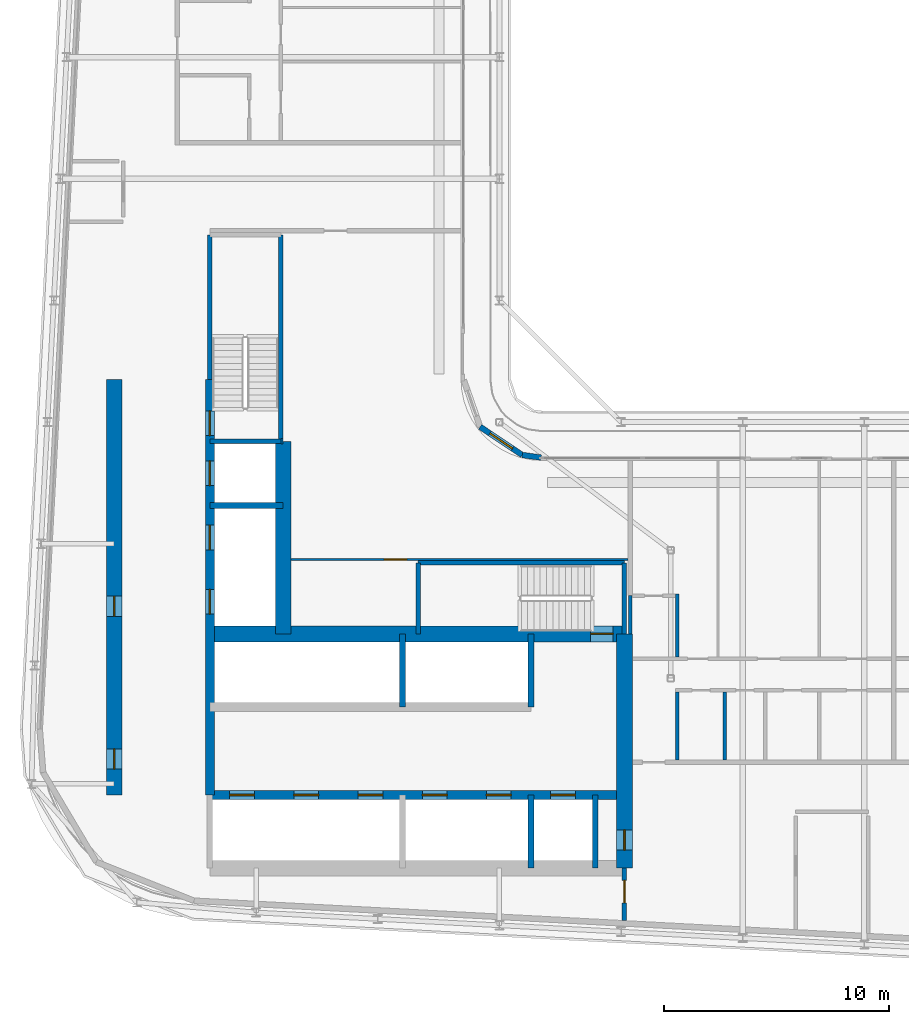
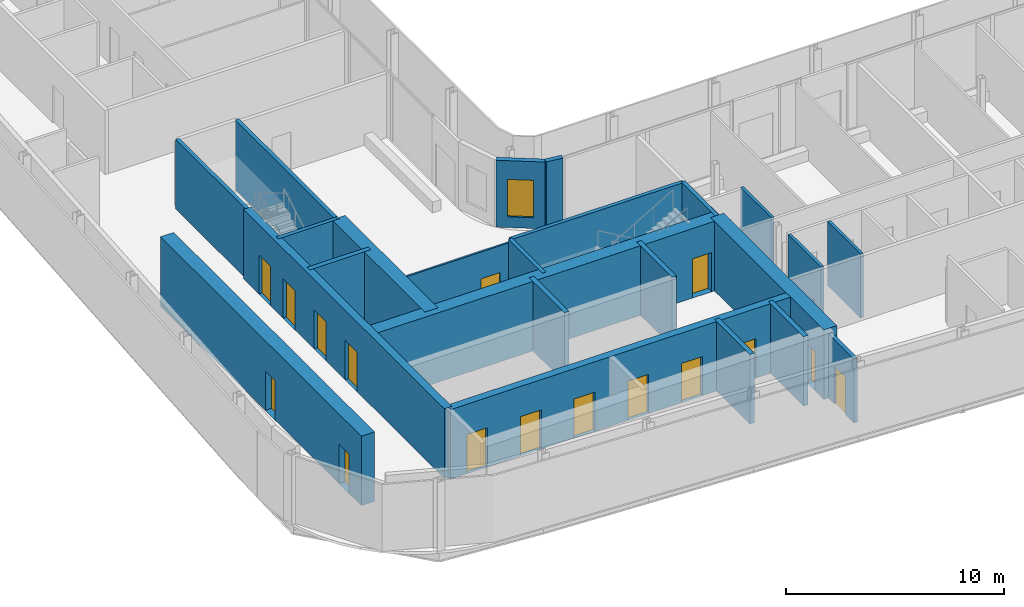
# One storey, part 10 of 23: 26 walls, 16 doors, 1 window, 17 openings.
"""IFC4 building model written with IfcOpenShell, lengths in metres."""

from ifc_helpers import new_model, si_unit, direction, frame, frame_2d, origin, place, context, subcontext, project, spatial, rectangle, extrude, source, transform, mapped, material, layer, layer_set, type_object, element, fill, save


model = new_model("IFC4")

# Units and contexts
model_context = context("Model", 3, precision=1e-05, world=origin(), true_north=direction((0.0, 1.0)))
body_context = subcontext(model_context, "Body", "Model", "MODEL_VIEW")
ifc_project = project(units=[si_unit("LENGTHUNIT", "METRE"), si_unit("AREAUNIT", "SQUARE_METRE"), si_unit("VOLUMEUNIT", "CUBIC_METRE"), si_unit("PLANEANGLEUNIT", "RADIAN"), si_unit("MASSUNIT", "GRAM", prefix="KILO")], contexts=[model_context])

# Site, building, storey
site_placement = place(None, origin())
site = spatial("IfcSite", under=ifc_project, at=site_placement, CompositionType="ELEMENT")
building_placement = place(site_placement, origin())
building = spatial("IfcBuilding", under=site, at=building_placement, Name="Kheshtan School and Residences Tower", CompositionType="ELEMENT")
storey_placement = place(building_placement, frame((0.0, 0.0, 259.10009765625)))
storey = spatial("IfcBuildingStorey", under=building, at=storey_placement, Name="L61", CompositionType="ELEMENT", Elevation=259.10009765625)

# Wall, openings, doors
ifc_material_1 = material(Name="Concrete C50/60", Category="concrete")
ifc_layer_1 = layer(ifc_material_1, 0.39990234375)
ifc_layer_set_1 = layer_set([ifc_layer_1], Name="Core wall 400 Concrete C50/60")
wall_type_1 = type_object("IfcWallType", Name="Core wall 400 Concrete C50/60", PredefinedType="SHEAR", material=ifc_layer_set_1)
wall_1_placement = place(storey_placement, frame((34.75, 29.050048828125, 0.0), z_axis=(0.0, 0.0, 1.0), x_axis=(1.0, 0.0, 0.0)))
wall_1 = element("IfcWall", 1, at=wall_1_placement, inside=storey, type_object=wall_type_1, Name="Core wall CW-HALL-S1", PredefinedType="SHEAR", context=body_context, shape_type="SweptSolid", body=[
    extrude(rectangle(XDim=18.39990234375, YDim=0.39990234375, at=frame_2d((9.199951171875, 0.0))), origin(), (0.0, 0.0, 1.0), 3.89990234375),
])
opening_1_placement = place(wall_1_placement, frame((0.875, 0.0, 0.0)))
opening_1 = element("IfcOpeningElement", 2, at=opening_1_placement, cuts=wall_1, Name="Opening LD", PredefinedType="OPENING", context=body_context, shape_type="SweptSolid", body=[
    extrude(rectangle(XDim=1.10009765625, YDim=2.199951171875, at=frame_2d((0.550048828125, 1.10009765625))), frame((0.0, 0.2099609375, 0.0), z_axis=(0.0, -1.0, 0.0), x_axis=(1.0, 0.0, 0.0)), (0.0, 0.0, 1.0), 0.419921875),
])
opening_2_placement = place(wall_1_placement, frame((3.72509765625, 0.0, 0.0)))
opening_2 = element("IfcOpeningElement", 3, at=opening_2_placement, cuts=wall_1, Name="Opening LD", PredefinedType="OPENING", context=body_context, shape_type="SweptSolid", body=[
    extrude(rectangle(XDim=1.10009765625, YDim=2.199951171875, at=frame_2d((0.550048828125, 1.10009765625))), frame((0.0, 0.2099609375, 0.0), z_axis=(0.0, -1.0, 0.0), x_axis=(1.0, 0.0, 0.0)), (0.0, 0.0, 1.0), 0.419921875),
])
opening_3_placement = place(wall_1_placement, frame((6.574951171875, 0.0, 0.0)))
opening_3 = element("IfcOpeningElement", 4, at=opening_3_placement, cuts=wall_1, Name="Opening LD", PredefinedType="OPENING", context=body_context, shape_type="SweptSolid", body=[
    extrude(rectangle(XDim=1.10009765625, YDim=2.199951171875, at=frame_2d((0.550048828125, 1.10009765625))), frame((0.0, 0.2099609375, 0.0), z_axis=(0.0, -1.0, 0.0), x_axis=(1.0, 0.0, 0.0)), (0.0, 0.0, 1.0), 0.419921875),
])
opening_4_placement = place(wall_1_placement, frame((9.425048828125, 0.0, 0.0)))
opening_4 = element("IfcOpeningElement", 5, at=opening_4_placement, cuts=wall_1, Name="Opening LD", PredefinedType="OPENING", context=body_context, shape_type="SweptSolid", body=[
    extrude(rectangle(XDim=1.10009765625, YDim=2.199951171875, at=frame_2d((0.550048828125, 1.10009765625))), frame((0.0, 0.2099609375, 0.0), z_axis=(0.0, -1.0, 0.0), x_axis=(1.0, 0.0, 0.0)), (0.0, 0.0, 1.0), 0.419921875),
])
opening_5_placement = place(wall_1_placement, frame((12.27490234375, 0.0, 0.0)))
opening_5 = element("IfcOpeningElement", 6, at=opening_5_placement, cuts=wall_1, Name="Opening LD", PredefinedType="OPENING", context=body_context, shape_type="SweptSolid", body=[
    extrude(rectangle(XDim=1.10009765625, YDim=2.199951171875, at=frame_2d((0.550048828125, 1.10009765625))), frame((0.0, 0.2099609375, 0.0), z_axis=(0.0, -1.0, 0.0), x_axis=(1.0, 0.0, 0.0)), (0.0, 0.0, 1.0), 0.419921875),
])
opening_6_placement = place(wall_1_placement, frame((15.125, 0.0, 0.0)))
opening_6 = element("IfcOpeningElement", 7, at=opening_6_placement, cuts=wall_1, Name="Opening LD", PredefinedType="OPENING", context=body_context, shape_type="SweptSolid", body=[
    extrude(rectangle(XDim=1.10009765625, YDim=2.199951171875, at=frame_2d((0.550048828125, 1.10009765625))), frame((0.0, 0.2099609375, 0.0), z_axis=(0.0, -1.0, 0.0), x_axis=(1.0, 0.0, 0.0)), (0.0, 0.0, 1.0), 0.419921875),
])
ifc_material_2 = material(Name="Stainless steel door leaves", Category="steel")
door_type_1 = type_object("IfcDoorType", Name="Lift landing door 1100", OperationType="SLIDING_TO_LEFT", PredefinedType="DOOR", material=ifc_material_2)
shared_shape_1 = source(origin(), body_context, "Body", "SweptSolid", [
    extrude(rectangle(XDim=1.10009765625, YDim=2.199951171875, at=frame_2d((0.550048828125, 1.10009765625))), frame((0.0, 0.02490234375, 0.0), z_axis=(0.0, -1.0, 0.0), x_axis=(1.0, 0.0, 0.0)), (0.0, 0.0, 1.0), 0.050048828125),
])
door_1_placement = place(opening_1_placement, origin())
door_1 = element("IfcDoor", 8, at=door_1_placement, inside=storey, type_object=door_type_1, Name="Lift P7 landing door", OperationType="SLIDING_TO_LEFT", OverallHeight=2.199951171875, OverallWidth=1.10009765625, PredefinedType="DOOR", context=body_context, shape_type="MappedRepresentation", body=[
    mapped(shared_shape_1, transform((0.0, 0.0, 0.0), x_axis=(1.0, 0.0, 0.0), y_axis=(0.0, 1.0, 0.0), z_axis=(0.0, 0.0, 1.0), scale=1.0)),
])
fill(opening_1, door_1)
door_2_placement = place(opening_2_placement, origin())
door_2 = element("IfcDoor", 9, at=door_2_placement, inside=storey, type_object=door_type_1, Name="Lift P8 landing door", OperationType="SLIDING_TO_LEFT", OverallHeight=2.199951171875, OverallWidth=1.10009765625, PredefinedType="DOOR", context=body_context, shape_type="MappedRepresentation", body=[
    mapped(shared_shape_1, transform((0.0, 0.0, 0.0), x_axis=(1.0, 0.0, 0.0), y_axis=(0.0, 1.0, 0.0), z_axis=(0.0, 0.0, 1.0), scale=1.0)),
])
fill(opening_2, door_2)
door_3_placement = place(opening_3_placement, origin())
door_3 = element("IfcDoor", 10, at=door_3_placement, inside=storey, type_object=door_type_1, Name="Lift P9 landing door", OperationType="SLIDING_TO_LEFT", OverallHeight=2.199951171875, OverallWidth=1.10009765625, PredefinedType="DOOR", context=body_context, shape_type="MappedRepresentation", body=[
    mapped(shared_shape_1, transform((0.0, 0.0, 0.0), x_axis=(1.0, 0.0, 0.0), y_axis=(0.0, 1.0, 0.0), z_axis=(0.0, 0.0, 1.0), scale=1.0)),
])
fill(opening_3, door_3)
door_4_placement = place(opening_4_placement, origin())
door_4 = element("IfcDoor", 11, at=door_4_placement, inside=storey, type_object=door_type_1, Name="Lift P10 landing door", OperationType="SLIDING_TO_LEFT", OverallHeight=2.199951171875, OverallWidth=1.10009765625, PredefinedType="DOOR", context=body_context, shape_type="MappedRepresentation", body=[
    mapped(shared_shape_1, transform((0.0, 0.0, 0.0), x_axis=(1.0, 0.0, 0.0), y_axis=(0.0, 1.0, 0.0), z_axis=(0.0, 0.0, 1.0), scale=1.0)),
])
fill(opening_4, door_4)
door_5_placement = place(opening_5_placement, origin())
door_5 = element("IfcDoor", 12, at=door_5_placement, inside=storey, type_object=door_type_1, Name="Lift P11 landing door", OperationType="SLIDING_TO_LEFT", OverallHeight=2.199951171875, OverallWidth=1.10009765625, PredefinedType="DOOR", context=body_context, shape_type="MappedRepresentation", body=[
    mapped(shared_shape_1, transform((0.0, 0.0, 0.0), x_axis=(1.0, 0.0, 0.0), y_axis=(0.0, 1.0, 0.0), z_axis=(0.0, 0.0, 1.0), scale=1.0)),
])
fill(opening_5, door_5)
door_6_placement = place(opening_6_placement, origin())
door_6 = element("IfcDoor", 13, at=door_6_placement, inside=storey, type_object=door_type_1, Name="Lift FFL2 landing door", OperationType="SLIDING_TO_LEFT", OverallHeight=2.199951171875, OverallWidth=1.10009765625, PredefinedType="DOOR", context=body_context, shape_type="MappedRepresentation", body=[
    mapped(shared_shape_1, transform((0.0, 0.0, 0.0), x_axis=(1.0, 0.0, 0.0), y_axis=(0.0, 1.0, 0.0), z_axis=(0.0, 0.0, 1.0), scale=1.0)),
])
fill(opening_6, door_6)

wall_2_placement = place(storey_placement, frame((34.75, 29.050048828125, 0.0), z_axis=(0.0, 0.0, 1.0), x_axis=(0.0, 1.0, 0.0)))
wall_2 = element("IfcWall", 14, at=wall_2_placement, inside=storey, type_object=wall_type_1, Name="Core wall CW-HALL-W1", PredefinedType="SHEAR", context=body_context, shape_type="SweptSolid", body=[
    extrude(rectangle(XDim=18.449951171875, YDim=0.39990234375, at=frame_2d((9.22509765625, 0.0))), origin(), (0.0, 0.0, 1.0), 3.89990234375),
])
opening_7_placement = place(wall_2_placement, frame((8.02490234375, 0.0, 0.0)))
opening_7 = element("IfcOpeningElement", 15, at=opening_7_placement, cuts=wall_2, Name="Opening LD", PredefinedType="OPENING", context=body_context, shape_type="SweptSolid", body=[
    extrude(rectangle(XDim=1.10009765625, YDim=2.199951171875, at=frame_2d((0.550048828125, 1.10009765625))), frame((0.0, 0.2099609375, 0.0), z_axis=(0.0, -1.0, 0.0), x_axis=(1.0, 0.0, 0.0)), (0.0, 0.0, 1.0), 0.419921875),
])
opening_8_placement = place(wall_2_placement, frame((10.875, 0.0, 0.0)))
opening_8 = element("IfcOpeningElement", 16, at=opening_8_placement, cuts=wall_2, Name="Opening LD", PredefinedType="OPENING", context=body_context, shape_type="SweptSolid", body=[
    extrude(rectangle(XDim=1.10009765625, YDim=2.199951171875, at=frame_2d((0.550048828125, 1.10009765625))), frame((0.0, 0.2099609375, 0.0), z_axis=(0.0, -1.0, 0.0), x_axis=(1.0, 0.0, 0.0)), (0.0, 0.0, 1.0), 0.419921875),
])
opening_9_placement = place(wall_2_placement, frame((13.72509765625, 0.0, 0.0)))
opening_9 = element("IfcOpeningElement", 17, at=opening_9_placement, cuts=wall_2, Name="Opening LD", PredefinedType="OPENING", context=body_context, shape_type="SweptSolid", body=[
    extrude(rectangle(XDim=1.10009765625, YDim=2.199951171875, at=frame_2d((0.550048828125, 1.10009765625))), frame((0.0, 0.2099609375, 0.0), z_axis=(0.0, -1.0, 0.0), x_axis=(1.0, 0.0, 0.0)), (0.0, 0.0, 1.0), 0.419921875),
])
opening_10_placement = place(wall_2_placement, frame((15.949951171875, 0.0, 0.0)))
opening_10 = element("IfcOpeningElement", 18, at=opening_10_placement, cuts=wall_2, Name="Opening ST2D", PredefinedType="OPENING", context=body_context, shape_type="SweptSolid", body=[
    extrude(rectangle(XDim=1.10009765625, YDim=2.199951171875, at=frame_2d((0.550048828125, 1.10009765625))), frame((0.0, 0.2099609375, 0.0), z_axis=(0.0, -1.0, 0.0), x_axis=(1.0, 0.0, 0.0)), (0.0, 0.0, 1.0), 0.419921875),
])
door_7_placement = place(opening_7_placement, origin())
door_7 = element("IfcDoor", 19, at=door_7_placement, inside=storey, type_object=door_type_1, Name="Lift SV1 landing door", OperationType="SLIDING_TO_LEFT", OverallHeight=2.199951171875, OverallWidth=1.10009765625, PredefinedType="DOOR", context=body_context, shape_type="MappedRepresentation", body=[
    mapped(shared_shape_1, transform((0.0, 0.0, 0.0), x_axis=(1.0, 0.0, 0.0), y_axis=(0.0, 1.0, 0.0), z_axis=(0.0, 0.0, 1.0), scale=1.0)),
])
fill(opening_7, door_7)
door_8_placement = place(opening_8_placement, origin())
door_8 = element("IfcDoor", 20, at=door_8_placement, inside=storey, type_object=door_type_1, Name="Lift SV2 landing door", OperationType="SLIDING_TO_LEFT", OverallHeight=2.199951171875, OverallWidth=1.10009765625, PredefinedType="DOOR", context=body_context, shape_type="MappedRepresentation", body=[
    mapped(shared_shape_1, transform((0.0, 0.0, 0.0), x_axis=(1.0, 0.0, 0.0), y_axis=(0.0, 1.0, 0.0), z_axis=(0.0, 0.0, 1.0), scale=1.0)),
])
fill(opening_8, door_8)
door_9_placement = place(opening_9_placement, origin())
door_9 = element("IfcDoor", 21, at=door_9_placement, inside=storey, type_object=door_type_1, Name="Lift FFL1 landing door", OperationType="SLIDING_TO_LEFT", OverallHeight=2.199951171875, OverallWidth=1.10009765625, PredefinedType="DOOR", context=body_context, shape_type="MappedRepresentation", body=[
    mapped(shared_shape_1, transform((0.0, 0.0, 0.0), x_axis=(1.0, 0.0, 0.0), y_axis=(0.0, 1.0, 0.0), z_axis=(0.0, 0.0, 1.0), scale=1.0)),
])
fill(opening_9, door_9)
ifc_material_3 = material(Name="Steel door leaf, galvanised", Category="steel")
door_type_2 = type_object("IfcDoorType", Name="Stair door 1100 steel 90 min", OperationType="SINGLE_SWING_LEFT", PredefinedType="DOOR", material=ifc_material_3)
shared_shape_2 = source(origin(), body_context, "Body", "SweptSolid", [
    extrude(rectangle(XDim=1.10009765625, YDim=2.199951171875, at=frame_2d((0.550048828125, 1.10009765625))), frame((0.0, 0.02490234375, 0.0), z_axis=(0.0, -1.0, 0.0), x_axis=(1.0, 0.0, 0.0)), (0.0, 0.0, 1.0), 0.050048828125),
])
door_10_placement = place(opening_10_placement, origin())
door_10 = element("IfcDoor", 22, at=door_10_placement, inside=storey, type_object=door_type_2, Name="Stair ST2 door", OperationType="SINGLE_SWING_RIGHT", OverallHeight=2.199951171875, OverallWidth=1.10009765625, PredefinedType="DOOR", context=body_context, shape_type="MappedRepresentation", body=[
    mapped(shared_shape_2, transform((0.0, 0.0, 0.0), x_axis=(1.0, 0.0, 0.0), y_axis=(0.0, 1.0, 0.0), z_axis=(0.0, 0.0, 1.0), scale=1.0)),
])
fill(opening_10, door_10)

# Wall, opening, door
ifc_material_4 = material(Name="Concrete C70/85", Category="concrete")
ifc_layer_2 = layer(ifc_material_4, 0.699951171875)
ifc_layer_set_2 = layer_set([ifc_layer_2], Name="Core wall 700 Concrete C70/85")
wall_type_2 = type_object("IfcWallType", Name="Core wall 700 Concrete C70/85", PredefinedType="SHEAR", material=ifc_layer_set_2)
wall_3_placement = place(storey_placement, frame((34.75, 36.199951171875, 0.0), z_axis=(0.0, 0.0, 1.0), x_axis=(1.0, 0.0, 0.0)))
wall_3 = element("IfcWall", 23, at=wall_3_placement, inside=storey, type_object=wall_type_2, Name="Core wall CW-FRONT-S", PredefinedType="SHEAR", context=body_context, shape_type="SweptSolid", body=[
    extrude(rectangle(XDim=18.39990234375, YDim=0.699951171875, at=frame_2d((9.199951171875, 0.0))), origin(), (0.0, 0.0, 1.0), 3.89990234375),
])
opening_11_placement = place(wall_3_placement, frame((16.89990234375, 0.0, 0.0)))
opening_11 = element("IfcOpeningElement", 24, at=opening_11_placement, cuts=wall_3, Name="Opening ST1D", PredefinedType="OPENING", context=body_context, shape_type="SweptSolid", body=[
    extrude(rectangle(XDim=1.0, YDim=2.199951171875, at=frame_2d((0.5, 1.10009765625))), frame((0.0, 0.35986328125, 0.0), z_axis=(0.0, -1.0, 0.0), x_axis=(1.0, 0.0, 0.0)), (0.0, 0.0, 1.0), 0.719970703125),
])
shared_shape_3 = source(origin(), body_context, "Body", "SweptSolid", [
    extrude(rectangle(XDim=1.0, YDim=2.199951171875, at=frame_2d((0.5, 1.10009765625))), frame((0.0, 0.02490234375, 0.0), z_axis=(0.0, -1.0, 0.0), x_axis=(1.0, 0.0, 0.0)), (0.0, 0.0, 1.0), 0.050048828125),
])
door_11_placement = place(opening_11_placement, origin())
door_11 = element("IfcDoor", 25, at=door_11_placement, inside=storey, type_object=door_type_2, Name="Stair ST1 door", OperationType="SINGLE_SWING_RIGHT", OverallHeight=2.199951171875, OverallWidth=1.0, PredefinedType="DOOR", context=body_context, shape_type="MappedRepresentation", body=[
    mapped(shared_shape_3, transform((0.0, 0.0, 0.0), x_axis=(1.0, 0.0, 0.0), y_axis=(0.0, 1.0, 0.0), z_axis=(0.0, 0.0, 1.0), scale=1.0)),
])
fill(opening_11, door_11)

# Wall
wall_4_placement = place(storey_placement, frame((38.0, 36.199951171875, 0.0), z_axis=(0.0, 0.0, 1.0), x_axis=(0.0, 1.0, 0.0)))
element("IfcWall", 26, at=wall_4_placement, inside=storey, type_object=wall_type_2, Name="Core wall CW-FRONT-W", PredefinedType="SHEAR", context=body_context, shape_type="SweptSolid", body=[
    extrude(rectangle(XDim=8.550048828125, YDim=0.699951171875, at=frame_2d((4.27490234375, 0.0))), origin(), (0.0, 0.0, 1.0), 3.89990234375),
])

# Wall, openings, doors
wall_5_placement = place(storey_placement, frame((30.5, 29.050048828125, 0.0), z_axis=(0.0, 0.0, 1.0), x_axis=(0.0, 1.0, 0.0)))
wall_5 = element("IfcWall", 27, at=wall_5_placement, inside=storey, type_object=wall_type_2, Name="Core wall CW-REAR-W", PredefinedType="SHEAR", context=body_context, shape_type="SweptSolid", body=[
    extrude(rectangle(XDim=18.449951171875, YDim=0.699951171875, at=frame_2d((9.22509765625, 0.0))), origin(), (0.0, 0.0, 1.0), 3.89990234375),
])
opening_12_placement = place(wall_5_placement, frame((1.14697265625, 0.0, 0.0)))
opening_12 = element("IfcOpeningElement", 28, at=opening_12_placement, cuts=wall_5, Name="Opening SR90", PredefinedType="OPENING", context=body_context, shape_type="SweptSolid", body=[
    extrude(rectangle(XDim=0.89990234375, YDim=2.199951171875, at=frame_2d((0.449951171875, 1.10009765625))), frame((0.0, 0.35986328125, 0.0), z_axis=(0.0, -1.0, 0.0), x_axis=(1.0, 0.0, 0.0)), (0.0, 0.0, 1.0), 0.719970703125),
])
opening_13_placement = place(wall_5_placement, frame((7.925048828125, 0.0, 0.0)))
opening_13 = element("IfcOpeningElement", 29, at=opening_13_placement, cuts=wall_5, Name="Opening SR90", PredefinedType="OPENING", context=body_context, shape_type="SweptSolid", body=[
    extrude(rectangle(XDim=0.89990234375, YDim=2.199951171875, at=frame_2d((0.449951171875, 1.10009765625))), frame((0.0, 0.35986328125, 0.0), z_axis=(0.0, -1.0, 0.0), x_axis=(1.0, 0.0, 0.0)), (0.0, 0.0, 1.0), 0.719970703125),
])
door_type_3 = type_object("IfcDoorType", Name="Service room door 900 steel 90 min", OperationType="SINGLE_SWING_LEFT", PredefinedType="DOOR", material=ifc_material_3)
shared_shape_4 = source(origin(), body_context, "Body", "SweptSolid", [
    extrude(rectangle(XDim=0.89990234375, YDim=2.199951171875, at=frame_2d((0.449951171875, 1.10009765625))), frame((0.0, 0.02490234375, 0.0), z_axis=(0.0, -1.0, 0.0), x_axis=(1.0, 0.0, 0.0)), (0.0, 0.0, 1.0), 0.050048828125),
])
door_12_placement = place(opening_12_placement, origin())
door_12 = element("IfcDoor", 30, at=door_12_placement, inside=storey, type_object=door_type_3, Name="Service room door", OperationType="SINGLE_SWING_LEFT", OverallHeight=2.199951171875, OverallWidth=0.89990234375, PredefinedType="DOOR", context=body_context, shape_type="MappedRepresentation", body=[
    mapped(shared_shape_4, transform((0.0, 0.0, 0.0), x_axis=(1.0, 0.0, 0.0), y_axis=(0.0, 1.0, 0.0), z_axis=(0.0, 0.0, 1.0), scale=1.0)),
])
fill(opening_12, door_12)
door_13_placement = place(opening_13_placement, origin())
door_13 = element("IfcDoor", 31, at=door_13_placement, inside=storey, type_object=door_type_3, Name="Service room door", OperationType="SINGLE_SWING_LEFT", OverallHeight=2.199951171875, OverallWidth=0.89990234375, PredefinedType="DOOR", context=body_context, shape_type="MappedRepresentation", body=[
    mapped(shared_shape_4, transform((0.0, 0.0, 0.0), x_axis=(1.0, 0.0, 0.0), y_axis=(0.0, 1.0, 0.0), z_axis=(0.0, 0.0, 1.0), scale=1.0)),
])
fill(opening_13, door_13)

# Wall, opening, door
wall_6_placement = place(storey_placement, frame((53.14990234375, 25.800048828125, 0.0), z_axis=(0.0, 0.0, 1.0), x_axis=(0.0, 1.0, 0.0)))
wall_6 = element("IfcWall", 32, at=wall_6_placement, inside=storey, type_object=wall_type_2, Name="Core wall CW-EAST", PredefinedType="SHEAR", context=body_context, shape_type="SweptSolid", body=[
    extrude(rectangle(XDim=10.39990234375, YDim=0.699951171875, at=frame_2d((5.199951171875, 0.0))), origin(), (0.0, 0.0, 1.0), 3.89990234375),
])
opening_14_placement = place(wall_6_placement, frame((0.800048828125, 0.0, 0.0)))
opening_14 = element("IfcOpeningElement", 33, at=opening_14_placement, cuts=wall_6, Name="Opening SR90", PredefinedType="OPENING", context=body_context, shape_type="SweptSolid", body=[
    extrude(rectangle(XDim=0.89990234375, YDim=2.199951171875, at=frame_2d((0.449951171875, 1.10009765625))), frame((0.0, 0.35986328125, 0.0), z_axis=(0.0, -1.0, 0.0), x_axis=(1.0, 0.0, 0.0)), (0.0, 0.0, 1.0), 0.719970703125),
])
door_14_placement = place(opening_14_placement, origin())
door_14 = element("IfcDoor", 34, at=door_14_placement, inside=storey, type_object=door_type_3, Name="Service room door", OperationType="SINGLE_SWING_LEFT", OverallHeight=2.199951171875, OverallWidth=0.89990234375, PredefinedType="DOOR", context=body_context, shape_type="MappedRepresentation", body=[
    mapped(shared_shape_4, transform((0.0, 0.0, 0.0), x_axis=(1.0, 0.0, 0.0), y_axis=(0.0, 1.0, 0.0), z_axis=(0.0, 0.0, 1.0), scale=1.0)),
])
fill(opening_14, door_14)

ifc_material_5 = material(Name="Gypsum board on steel studs with fire boards", Category="steel")
ifc_layer_3 = layer(ifc_material_5, 0.199951171875)
ifc_layer_set_3 = layer_set([ifc_layer_3], Name="Corridor wall 200")
wall_type_3 = type_object("IfcWallType", Name="Corridor wall 200", PredefinedType="PARTITIONING", material=ifc_layer_set_3)
wall_7_placement = place(storey_placement, frame((53.14990234375, 23.472412109375, 0.0), z_axis=(0.0, 0.0, 1.0), x_axis=(0.0, 1.0, 0.0)))
wall_7 = element("IfcWall", 35, at=wall_7_placement, inside=storey, type_object=wall_type_3, Name="Partition L61-030", PredefinedType="PARTITIONING", context=body_context, shape_type="SweptSolid", body=[
    extrude(rectangle(XDim=2.32763671875, YDim=0.199951171875, at=frame_2d((1.163818359375, 0.0))), origin(), (0.0, 0.0, 1.0), 3.599853515625),
])
opening_15_placement = place(wall_7_placement, frame((0.784912109375, 0.0, 0.0)))
opening_15 = element("IfcOpeningElement", 36, at=opening_15_placement, cuts=wall_7, Name="Opening D61-041", PredefinedType="OPENING", context=body_context, shape_type="SweptSolid", body=[
    extrude(rectangle(XDim=1.0, YDim=2.10009765625, at=frame_2d((0.5, 1.050048828125))), frame((0.0, 0.10986328125, 0.0), z_axis=(0.0, -1.0, 0.0), x_axis=(1.0, 0.0, 0.0)), (0.0, 0.0, 1.0), 0.219970703125),
])
ifc_material_6 = material(Name="Steel-framed fire-resisting door leaf", Category="steel")
door_type_4 = type_object("IfcDoorType", Name="Fire door FD60 1000 x 2100", OperationType="SINGLE_SWING_LEFT", PredefinedType="DOOR", material=ifc_material_6)
shared_shape_5 = source(origin(), body_context, "Body", "SweptSolid", [
    extrude(rectangle(XDim=1.0, YDim=2.10009765625, at=frame_2d((0.5, 1.050048828125))), frame((0.0, 0.02490234375, 0.0), z_axis=(0.0, -1.0, 0.0), x_axis=(1.0, 0.0, 0.0)), (0.0, 0.0, 1.0), 0.050048828125),
])
door_15_placement = place(opening_15_placement, origin())
door_15 = element("IfcDoor", 37, at=door_15_placement, inside=storey, type_object=door_type_4, Name="Door D61-041", OperationType="SINGLE_SWING_RIGHT", OverallHeight=2.10009765625, OverallWidth=1.0, PredefinedType="DOOR", context=body_context, shape_type="MappedRepresentation", body=[
    mapped(shared_shape_5, transform((0.0, 0.0, 0.0), x_axis=(1.0, 0.0, 0.0), y_axis=(0.0, 1.0, 0.0), z_axis=(0.0, 0.0, 1.0), scale=1.0)),
])
fill(opening_15, door_15)

# Wall, opening, window
ifc_material_7 = material(Name="Concrete C40/50 with ceramic cladding and mineral wool insulation", Category="concrete")
ifc_layer_4 = layer(ifc_material_7, 0.25)
ifc_layer_set_4 = layer_set([ifc_layer_4], Name="External wall 250 ceramic clad")
wall_type_4 = type_object("IfcWallType", Name="External wall 250 ceramic clad", PredefinedType="SOLIDWALL", material=ifc_layer_set_4)
wall_8_placement = place(storey_placement, frame((46.742919921875, 45.388916015625, 0.0), z_axis=(0.0, 0.0, 1.0), x_axis=(0.831449265529, -0.555600682912, 0.0)))
wall_8 = element("IfcWall", 38, at=wall_8_placement, inside=storey, type_object=wall_type_4, Name="External wall L61 10", PredefinedType="SOLIDWALL", context=body_context, shape_type="SweptSolid", body=[
    extrude(rectangle(XDim=2.25146484375, YDim=0.25, at=frame_2d((1.125732421875, 0.0))), origin(), (0.0, 0.0, 1.0), 3.75),
])
opening_16_placement = place(wall_8_placement, frame((0.52490234375, 0.0, 0.60009765625)))
opening_16 = element("IfcOpeningElement", 39, at=opening_16_placement, cuts=wall_8, Name="Opening WN-E", PredefinedType="OPENING", context=body_context, shape_type="SweptSolid", body=[
    extrude(rectangle(XDim=1.199951171875, YDim=2.10009765625, at=frame_2d((0.60009765625, 1.050048828125))), frame((0.0, 0.135009765625, 0.0), z_axis=(0.0, -1.0, 0.0), x_axis=(1.0, 0.0, 0.0)), (0.0, 0.0, 1.0), 0.27001953125),
])
ifc_material_8 = material(Name="Clear low-e glass in thermally broken aluminium frame", Category="aluminium")
window_type = type_object("IfcWindowType", Name="Window WN-E", PartitioningType="SINGLE_PANEL", PredefinedType="WINDOW", material=ifc_material_8)
shared_shape_6 = source(origin(), body_context, "Body", "SweptSolid", [
    extrude(rectangle(XDim=1.199951171875, YDim=2.10009765625, at=frame_2d((0.60009765625, 1.050048828125))), frame((0.0, 0.030029296875, 0.0), z_axis=(0.0, -1.0, 0.0), x_axis=(1.0, 0.0, 0.0)), (0.0, 0.0, 1.0), 0.06005859375),
])
window_placement = place(opening_16_placement, origin())
window = element("IfcWindow", 40, at=window_placement, inside=storey, type_object=window_type, Name="Window L61 10", OverallHeight=2.10009765625, OverallWidth=1.199951171875, PartitioningType="SINGLE_PANEL", PredefinedType="WINDOW", context=body_context, shape_type="MappedRepresentation", body=[
    mapped(shared_shape_6, transform((0.0, 0.0, 0.0), x_axis=(1.0, 0.0, 0.0), y_axis=(0.0, 1.0, 0.0), z_axis=(0.0, 0.0, 1.0), scale=1.0)),
])
fill(opening_16, window)

# Wall
wall_9_placement = place(storey_placement, frame((48.614990234375, 44.137939453125, 0.0), z_axis=(0.0, 0.0, 1.0), x_axis=(0.990741504246, -0.135761819977, 0.0)))
element("IfcWall", 41, at=wall_9_placement, inside=storey, type_object=wall_type_4, Name="External wall L61 11", PredefinedType="SOLIDWALL", context=body_context, shape_type="SweptSolid", body=[
    extrude(rectangle(XDim=0.83984375, YDim=0.25, at=frame_2d((0.419921875, 0.0))), origin(), (0.0, 0.0, 1.0), 3.75),
])

# Wall, opening, door
ifc_material_9 = material(Name="Gypsum board on steel studs", Category="steel")
ifc_layer_5 = layer(ifc_material_9, 0.10009765625)
ifc_layer_set_5 = layer_set([ifc_layer_5], Name="Gypsum partition 100")
wall_type_5 = type_object("IfcWallType", Name="Gypsum partition 100", PredefinedType="PARTITIONING", material=ifc_layer_set_5)
wall_10_placement = place(storey_placement, frame((38.34912109375, 39.5, 0.0), z_axis=(0.0, 0.0, 1.0), x_axis=(1.0, 0.0, 0.0)))
wall_10 = element("IfcWall", 42, at=wall_10_placement, inside=storey, type_object=wall_type_5, Name="Partition L61-028", PredefinedType="PARTITIONING", context=body_context, shape_type="SweptSolid", body=[
    extrude(rectangle(XDim=14.950927734375, YDim=0.10009765625, at=frame_2d((7.4755859375, 0.0))), origin(), (0.0, 0.0, 1.0), 3.599853515625),
])
opening_17_placement = place(wall_10_placement, frame((4.14697265625, 0.0, 0.0)))
opening_17 = element("IfcOpeningElement", 43, at=opening_17_placement, cuts=wall_10, Name="Opening D61-042", PredefinedType="OPENING", context=body_context, shape_type="SweptSolid", body=[
    extrude(rectangle(XDim=1.0, YDim=2.10009765625, at=frame_2d((0.5, 1.050048828125))), frame((0.0, 0.06005859375, 0.0), z_axis=(0.0, -1.0, 0.0), x_axis=(1.0, 0.0, 0.0)), (0.0, 0.0, 1.0), 0.1201171875),
])
ifc_material_10 = material(Name="Veneered timber door leaf", Category="wood")
door_type_5 = type_object("IfcDoorType", Name="Door 1000 x 2100", OperationType="SINGLE_SWING_LEFT", PredefinedType="DOOR", material=ifc_material_10)
shared_shape_7 = source(origin(), body_context, "Body", "SweptSolid", [
    extrude(rectangle(XDim=1.0, YDim=2.10009765625, at=frame_2d((0.5, 1.050048828125))), frame((0.0, 0.02490234375, 0.0), z_axis=(0.0, -1.0, 0.0), x_axis=(1.0, 0.0, 0.0)), (0.0, 0.0, 1.0), 0.050048828125),
])
door_16_placement = place(opening_17_placement, origin())
door_16 = element("IfcDoor", 44, at=door_16_placement, inside=storey, type_object=door_type_5, Name="Door D61-042", OperationType="SINGLE_SWING_LEFT", OverallHeight=2.10009765625, OverallWidth=1.0, PredefinedType="DOOR", context=body_context, shape_type="MappedRepresentation", body=[
    mapped(shared_shape_7, transform((0.0, 0.0, 0.0), x_axis=(1.0, 0.0, 0.0), y_axis=(0.0, 1.0, 0.0), z_axis=(0.0, 0.0, 1.0), scale=1.0)),
])
fill(opening_17, door_16)

# Walls
ifc_material_11 = material(Name="Fire-board shaft wall system")
ifc_layer_6 = layer(ifc_material_11, 0.25)
ifc_layer_set_6 = layer_set([ifc_layer_6], Name="Shaft lining wall 250")
wall_type_6 = type_object("IfcWallType", Name="Shaft lining wall 250", PredefinedType="PARTITIONING", material=ifc_layer_set_6)
for number, where, z_axis, x_axis, name in (
    (45, (43.300048828125, 32.949951171875, 0.0), (0.0, 0.0, 1.0), (0.0, 1.0, 0.0), "Shaft lining wall"),
    (46, (49.0, 25.800048828125, 0.0), (0.0, 0.0, 1.0), (0.0, 1.0, 0.0), "Shaft lining wall"),
    (47, (49.0, 32.949951171875, 0.0), (0.0, 0.0, 1.0), (0.0, 1.0, 0.0), "Shaft lining wall"),
    (48, (51.85009765625, 25.800048828125, 0.0), (0.0, 0.0, 1.0), (0.0, 1.0, 0.0), "Shaft lining wall"),
    (49, (34.75, 41.89990234375, 0.0), (0.0, 0.0, 1.0), (1.0, 0.0, 0.0), "Shaft lining wall"),
):
    element("IfcWall", number, at=place(storey_placement, frame(where, z_axis=z_axis, x_axis=x_axis)), inside=storey, type_object=wall_type_6, Name=name, PredefinedType="PARTITIONING", context=body_context, shape_type="SweptSolid", body=[
        extrude(rectangle(XDim=3.25, YDim=0.25, at=frame_2d((1.625, 0.0))), origin(), (0.0, 0.0, 1.0), 3.89990234375),
    ])
wall_11_placement = place(storey_placement, frame((37.89990234375, 44.75, 0.0), z_axis=(0.0, 0.0, 1.0), x_axis=(1.0, 0.0, 0.0)))
element("IfcWall", 50, at=wall_11_placement, inside=storey, type_object=wall_type_6, Name="Shaft lining wall", PredefinedType="PARTITIONING", context=body_context, shape_type="SweptSolid", body=[
    extrude(rectangle(XDim=0.10009765625, YDim=0.25, at=frame_2d((0.050048828125, 0.0))), origin(), (0.0, 0.0, 1.0), 3.89990234375),
])
ifc_material_12 = material(Name="Concrete C40/50", Category="concrete")
ifc_layer_7 = layer(ifc_material_12, 0.199951171875)
ifc_layer_set_7 = layer_set([ifc_layer_7], Name="Stair enclosure wall 200 Concrete C40/50")
wall_type_7 = type_object("IfcWallType", Name="Stair enclosure wall 200 Concrete C40/50", PredefinedType="SHEAR", material=ifc_layer_set_7)
wall_12_placement = place(storey_placement, frame((43.989990234375, 39.35009765625, 0.0), z_axis=(0.0, 0.0, 1.0), x_axis=(1.0, 0.0, 0.0)))
element("IfcWall", 51, at=wall_12_placement, inside=storey, type_object=wall_type_7, Name="Stair enclosure wall ST1", PredefinedType="SHEAR", context=body_context, shape_type="SweptSolid", body=[
    extrude(rectangle(XDim=9.159912109375, YDim=0.199951171875, at=frame_2d((4.580078125, 0.0))), origin(), (0.0, 0.0, 1.0), 3.89990234375),
])
for number, where, z_axis, x_axis, name in (
    (52, (43.989990234375, 36.199951171875, 0.0), (0.0, 0.0, 1.0), (0.0, 1.0, 0.0), "Stair enclosure wall ST1"),
    (53, (53.14990234375, 36.199951171875, 0.0), (0.0, 0.0, 1.0), (0.0, 1.0, 0.0), "Stair enclosure wall ST1"),
):
    element("IfcWall", number, at=place(storey_placement, frame(where, z_axis=z_axis, x_axis=x_axis)), inside=storey, type_object=wall_type_7, Name=name, PredefinedType="SHEAR", context=body_context, shape_type="SweptSolid", body=[
        extrude(rectangle(XDim=3.150146484375, YDim=0.199951171875, at=frame_2d((1.5751953125, 0.0))), origin(), (0.0, 0.0, 1.0), 3.89990234375),
    ])
wall_13_placement = place(storey_placement, frame((34.75, 44.75, 0.0), z_axis=(0.0, 0.0, 1.0), x_axis=(1.0, 0.0, 0.0)))
element("IfcWall", 54, at=wall_13_placement, inside=storey, type_object=wall_type_7, Name="Stair enclosure wall ST2", PredefinedType="SHEAR", context=body_context, shape_type="SweptSolid", body=[
    extrude(rectangle(XDim=3.14990234375, YDim=0.199951171875, at=frame_2d((1.574951171875, 0.0))), origin(), (0.0, 0.0, 1.0), 3.89990234375),
])
wall_14_placement = place(storey_placement, frame((34.75, 47.5, 0.0), z_axis=(0.0, 0.0, 1.0), x_axis=(0.0, 1.0, 0.0)))
element("IfcWall", 55, at=wall_14_placement, inside=storey, type_object=wall_type_7, Name="Stair enclosure wall ST2", PredefinedType="SHEAR", context=body_context, shape_type="SweptSolid", body=[
    extrude(rectangle(XDim=6.409912109375, YDim=0.199951171875, at=frame_2d((3.205078125, 0.0))), origin(), (0.0, 0.0, 1.0), 3.89990234375),
])
wall_15_placement = place(storey_placement, frame((37.89990234375, 44.75, 0.0), z_axis=(0.0, 0.0, 1.0), x_axis=(0.0, 1.0, 0.0)))
element("IfcWall", 56, at=wall_15_placement, inside=storey, type_object=wall_type_7, Name="Stair enclosure wall ST2", PredefinedType="SHEAR", context=body_context, shape_type="SweptSolid", body=[
    extrude(rectangle(XDim=9.159912109375, YDim=0.199951171875, at=frame_2d((4.580078125, 0.0))), origin(), (0.0, 0.0, 1.0), 3.89990234375),
])
ifc_material_13 = material(Name="Moisture-resistant gypsum board on steel studs", Category="steel")
ifc_layer_8 = layer(ifc_material_13, 0.14990234375)
ifc_layer_set_8 = layer_set([ifc_layer_8], Name="Wet-room partition 150")
wall_type_8 = type_object("IfcWallType", Name="Wet-room partition 150", PredefinedType="PARTITIONING", material=ifc_layer_set_8)
wall_16_placement = place(storey_placement, frame((53.39990234375, 36.198974609375, 0.0), z_axis=(0.0, 0.0, 1.0), x_axis=(0.0, 1.0, 0.0)))
element("IfcWall", 57, at=wall_16_placement, inside=storey, type_object=wall_type_8, Name="Partition L61-031", PredefinedType="PARTITIONING", context=body_context, shape_type="SweptSolid", body=[
    extrude(rectangle(XDim=1.700927734375, YDim=0.14990234375, at=frame_2d((0.8505859375, 0.0))), origin(), (0.0, 0.0, 1.0), 3.599853515625),
])
wall_17_placement = place(storey_placement, frame((55.5, 30.60009765625, 0.0), z_axis=(0.0, 0.0, 1.0), x_axis=(0.0, 1.0, 0.0)))
element("IfcWall", 58, at=wall_17_placement, inside=storey, type_object=wall_type_8, Name="Partition L61-037", PredefinedType="PARTITIONING", context=body_context, shape_type="SweptSolid", body=[
    extrude(rectangle(XDim=3.02490234375, YDim=0.14990234375, at=frame_2d((1.512451171875, 0.0))), origin(), (0.0, 0.0, 1.0), 3.599853515625),
])
wall_18_placement = place(storey_placement, frame((55.5, 35.175048828125, 0.0), z_axis=(0.0, 0.0, 1.0), x_axis=(0.0, 1.0, 0.0)))
element("IfcWall", 59, at=wall_18_placement, inside=storey, type_object=wall_type_8, Name="Partition L61-038", PredefinedType="PARTITIONING", context=body_context, shape_type="SweptSolid", body=[
    extrude(rectangle(XDim=2.800048828125, YDim=0.14990234375, at=frame_2d((1.39990234375, 0.0))), origin(), (0.0, 0.0, 1.0), 3.599853515625),
])
wall_19_placement = place(storey_placement, frame((57.60009765625, 30.60009765625, 0.0), z_axis=(0.0, 0.0, 1.0), x_axis=(0.0, 1.0, 0.0)))
element("IfcWall", 60, at=wall_19_placement, inside=storey, type_object=wall_type_8, Name="Partition L61-040", PredefinedType="PARTITIONING", context=body_context, shape_type="SweptSolid", body=[
    extrude(rectangle(XDim=3.02490234375, YDim=0.14990234375, at=frame_2d((1.512451171875, 0.0))), origin(), (0.0, 0.0, 1.0), 3.599853515625),
])

save(model, "model.ifc")
